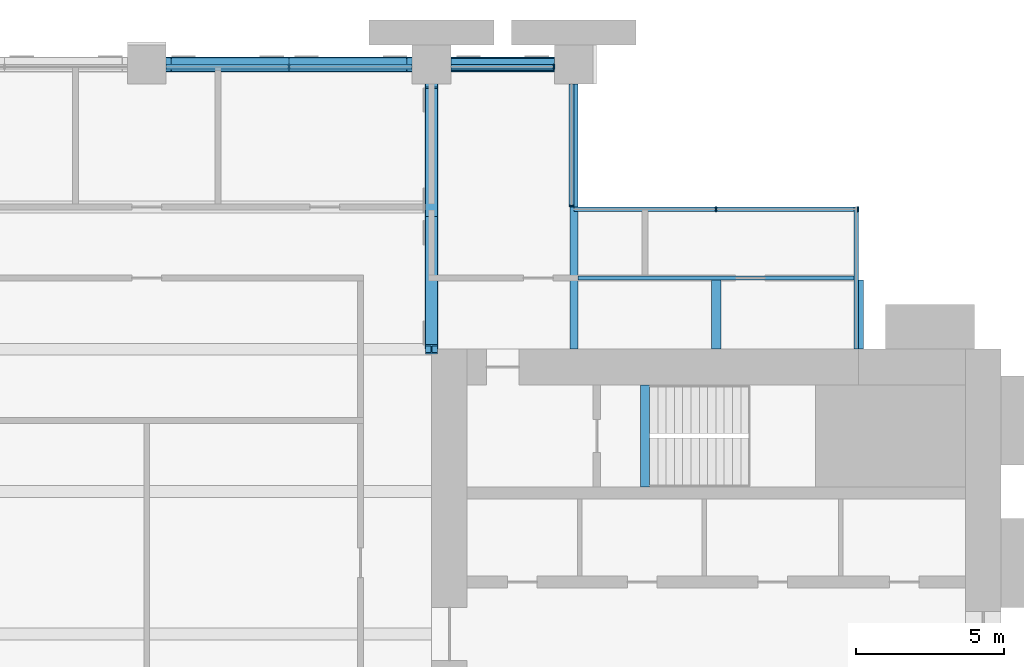
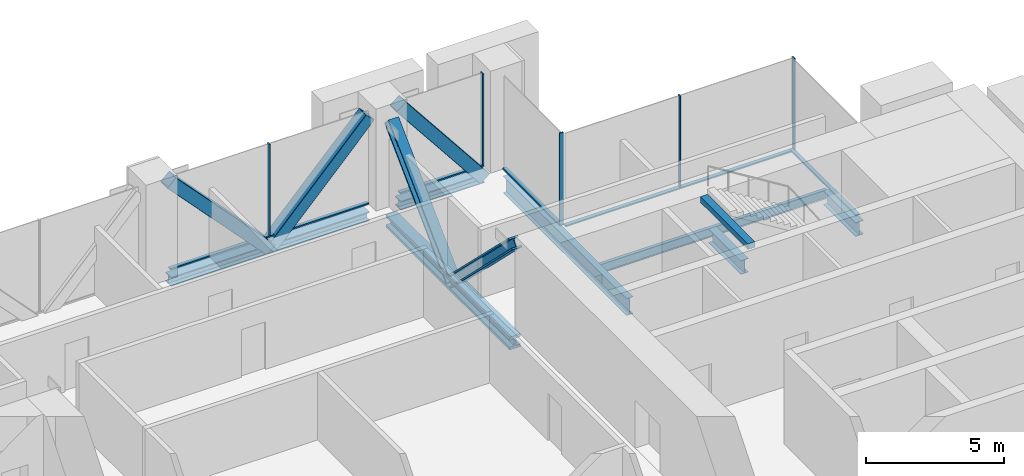
# One storey, part 8 of 15: 15 members, 8 beams, 4 elements without a shape of their own.
"""IFC4 building model written with IfcOpenShell, lengths in metres."""

from ifc_helpers import new_model, si_unit, direction, frame, origin, origin_2d, place, context, subcontext, project, spatial, rectangle, hollow_rectangle, i_section, extrude, material, material_profile, profile_set, type_object, element, aggregate, save


model = new_model("IFC4")

# Units and contexts
model_context = context("Model", 3, precision=1e-05, world=origin(), true_north=direction((0.0, 1.0)))
body_context = subcontext(model_context, "Body", "Model", "MODEL_VIEW")
ifc_project = project(units=[si_unit("LENGTHUNIT", "METRE"), si_unit("AREAUNIT", "SQUARE_METRE"), si_unit("VOLUMEUNIT", "CUBIC_METRE"), si_unit("PLANEANGLEUNIT", "RADIAN"), si_unit("MASSUNIT", "GRAM", prefix="KILO")], contexts=[model_context])

# Site, building, storey
site_placement = place(None, origin())
site = spatial("IfcSite", under=ifc_project, at=site_placement, CompositionType="ELEMENT")
building_placement = place(site_placement, origin())
building = spatial("IfcBuilding", under=site, at=building_placement, Name="Baori Bourse Tower", CompositionType="ELEMENT")
storey_placement = place(building_placement, frame((0.0, 0.0, 87.0)))
storey = spatial("IfcBuildingStorey", under=building, at=storey_placement, Name="L19", CompositionType="ELEMENT", Elevation=87.0)

# Beams
ifc_material_1 = material(Name="Steel A913 Gr 65", Category="steel")
ifc_material_profile_1 = material_profile(ifc_material_1, i_section(OverallWidth=0.4013671875, OverallDepth=0.398681640625, WebThickness=0.02490234375, FlangeThickness=0.03955078125, at=origin_2d()), Name="W14x211")
ifc_profile_set_1 = profile_set([ifc_material_profile_1], Name="Steel A913 Gr 65")
beam_type_1 = type_object("IfcBeamType", Name="Belt truss chord W14x211", PredefinedType="BEAM", material=ifc_profile_set_1)
beam_1_placement = place(storey_placement, frame((29.449951171875, 48.0, -0.49951171875), z_axis=(1.0, 0.0, 0.0), x_axis=(0.0, 1.0, 0.0)))
element("IfcBeam", 1, at=beam_1_placement, inside=storey, type_object=beam_type_1, Name="Belt truss chord L19", PredefinedType="BEAM", context=body_context, shape_type="SweptSolid", body=[
    extrude(i_section(OverallWidth=0.4013671875, OverallDepth=0.398681640625, WebThickness=0.02490234375, FlangeThickness=0.03955078125, at=origin_2d()), origin(), (0.0, 0.0, 1.0), 8.300048828125),
])
beam_2_placement = place(storey_placement, frame((39.050048828125, 48.0, -0.49951171875), z_axis=(1.0, 0.0, 0.0), x_axis=(0.0, 1.0, 0.0)))
element("IfcBeam", 2, at=beam_2_placement, inside=storey, type_object=beam_type_1, Name="Belt truss chord L19", PredefinedType="BEAM", context=body_context, shape_type="SweptSolid", body=[
    extrude(i_section(OverallWidth=0.4013671875, OverallDepth=0.398681640625, WebThickness=0.02490234375, FlangeThickness=0.03955078125, at=origin_2d()), origin(), (0.0, 0.0, 1.0), 3.5),
])

# Members
ifc_material_2 = material(Name="Steel A500 Gr C", Category="steel")
ifc_material_profile_2 = material_profile(ifc_material_2, hollow_rectangle(XDim=0.508056640625, YDim=0.508056640625, WallThickness=0.0146484375, InnerFilletRadius=0.00732421875, OuterFilletRadius=0.022216796875, at=origin_2d()), Name="HSS20x20x5/8")
ifc_profile_set_2 = profile_set([ifc_material_profile_2], Name="Steel A500 Gr C")
member_type_1 = type_object("IfcMemberType", Name="Belt truss diagonal HSS20x20x5/8", PredefinedType="BRACE", material=ifc_profile_set_2)
member_1_placement = place(storey_placement, frame((29.449951171875, 48.0, 3.900634765625), z_axis=(0.686138623617, 0.0, -0.727470816721), x_axis=(0.0, 1.0, 0.0)))
element("IfcMember", 3, at=member_1_placement, inside=storey, type_object=member_type_1, Name="Belt truss diagonal L19", PredefinedType="BRACE", context=body_context, shape_type="SweptSolid", body=[
    extrude(hollow_rectangle(XDim=0.508056640625, YDim=0.508056640625, WallThickness=0.0146484375, InnerFilletRadius=0.00732421875, OuterFilletRadius=0.022216796875, at=origin_2d()), origin(), (0.0, 0.0, 1.0), 6.048583984375),
])
member_2_placement = place(storey_placement, frame((33.60009765625, 48.0, -0.49951171875), z_axis=(0.686117261825, 0.0, 0.727490964223), x_axis=(0.0, 1.0, 0.0)))
element("IfcMember", 4, at=member_2_placement, inside=storey, type_object=member_type_1, Name="Belt truss diagonal L19", PredefinedType="BRACE", context=body_context, shape_type="SweptSolid", body=[
    extrude(hollow_rectangle(XDim=0.508056640625, YDim=0.508056640625, WallThickness=0.0146484375, InnerFilletRadius=0.00732421875, OuterFilletRadius=0.022216796875, at=origin_2d()), origin(), (0.0, 0.0, 1.0), 6.04833984375),
])
member_3_placement = place(storey_placement, frame((39.050048828125, 48.0, 3.900634765625), z_axis=(0.622510872677, 0.0, -0.782611150827), x_axis=(0.0, 1.0, 0.0)))
element("IfcMember", 5, at=member_3_placement, inside=storey, type_object=member_type_1, Name="Belt truss diagonal L19", PredefinedType="BRACE", context=body_context, shape_type="SweptSolid", body=[
    extrude(hollow_rectangle(XDim=0.508056640625, YDim=0.508056640625, WallThickness=0.0146484375, InnerFilletRadius=0.00732421875, OuterFilletRadius=0.022216796875, at=origin_2d()), origin(), (0.0, 0.0, 1.0), 5.622314453125),
])

# Curtain wall, members
ifc_material_3 = material(Name="Pale anodised aluminium", Category="aluminium")
curtain_wall_type = type_object("IfcCurtainWallType", Name="CW3 Curtain wall", PredefinedType="NOTDEFINED", material=ifc_material_3)
curtain_wall_1_placement = place(storey_placement, origin())
curtain_wall_1 = element("IfcCurtainWall", 6, at=curtain_wall_1_placement, inside=storey, type_object=curtain_wall_type, Name="Curtain wall CW3 L19 2", PredefinedType="NOTDEFINED")
ifc_material_4 = material(Name="Pale anodised aluminium", Category="aluminium")
ifc_material_profile_3 = material_profile(ifc_material_4, rectangle(XDim=0.159912109375, YDim=0.050048828125, at=origin_2d()), Name="Mullion 50x160")
ifc_profile_set_3 = profile_set([ifc_material_profile_3], Name="Pale anodised aluminium")
member_type_2 = type_object("IfcMemberType", Name="CW3 Curtain wall mullion", PredefinedType="MULLION", material=ifc_profile_set_3)
member_4_placement = place(storey_placement, frame((52.77490234375, 43.1201171875, 0.06005859375), z_axis=(0.0, 0.0, 1.0), x_axis=(0.0, -1.0, 0.0)))
member_4 = element("IfcMember", 7, at=member_4_placement, type_object=member_type_2, Name="Curtain wall CW3 mullion", PredefinedType="MULLION", context=body_context, shape_type="SweptSolid", body=[
    extrude(rectangle(XDim=0.159912109375, YDim=0.050048828125, at=origin_2d()), origin(), (0.0, 0.0, 1.0), 4.0400390625),
])
member_5_placement = place(storey_placement, frame((48.0, 43.1201171875, 0.06005859375), z_axis=(0.0, 0.0, 1.0), x_axis=(0.0, -1.0, 0.0)))
member_5 = element("IfcMember", 8, at=member_5_placement, type_object=member_type_2, Name="Curtain wall CW3 mullion", PredefinedType="MULLION", context=body_context, shape_type="SweptSolid", body=[
    extrude(rectangle(XDim=0.159912109375, YDim=0.050048828125, at=origin_2d()), origin(), (0.0, 0.0, 1.0), 4.0400390625),
])

# Curtain wall, member
curtain_wall_2_placement = place(storey_placement, origin())
curtain_wall_2 = element("IfcCurtainWall", 9, at=curtain_wall_2_placement, inside=storey, type_object=curtain_wall_type, Name="Curtain wall CW3 L19 3", PredefinedType="NOTDEFINED")
member_6_placement = place(storey_placement, frame((43.1201171875, 43.22509765625, 0.06005859375), z_axis=(0.0, 0.0, 1.0), x_axis=(-1.0, 0.0, 0.0)))
member_6 = element("IfcMember", 10, at=member_6_placement, type_object=member_type_2, Name="Curtain wall CW3 mullion", PredefinedType="MULLION", context=body_context, shape_type="SweptSolid", body=[
    extrude(rectangle(XDim=0.159912109375, YDim=0.050048828125, at=origin_2d()), origin(), (0.0, 0.0, 1.0), 4.0400390625),
])

# Curtain wall, members
curtain_wall_3_placement = place(storey_placement, origin())
curtain_wall_3 = element("IfcCurtainWall", 11, at=curtain_wall_3_placement, inside=storey, type_object=curtain_wall_type, Name="Curtain wall CW3 L19 4", PredefinedType="NOTDEFINED")
member_7_placement = place(storey_placement, frame((42.52490234375, 47.919921875, 0.06005859375), z_axis=(0.0, 0.0, 1.0), x_axis=(0.0, -1.0, 0.0)))
member_7 = element("IfcMember", 12, at=member_7_placement, type_object=member_type_2, Name="Curtain wall CW3 mullion", PredefinedType="MULLION", context=body_context, shape_type="SweptSolid", body=[
    extrude(rectangle(XDim=0.159912109375, YDim=0.050048828125, at=origin_2d()), origin(), (0.0, 0.0, 1.0), 4.0400390625),
])
member_8_placement = place(storey_placement, frame((33.60009765625, 47.919921875, 0.06005859375), z_axis=(0.0, 0.0, 1.0), x_axis=(0.0, -1.0, 0.0)))
member_8 = element("IfcMember", 13, at=member_8_placement, type_object=member_type_2, Name="Curtain wall CW3 mullion", PredefinedType="MULLION", context=body_context, shape_type="SweptSolid", body=[
    extrude(rectangle(XDim=0.159912109375, YDim=0.050048828125, at=origin_2d()), origin(), (0.0, 0.0, 1.0), 4.0400390625),
])

# Curtain wall, member
curtain_wall_4_placement = place(storey_placement, origin())
curtain_wall_4 = element("IfcCurtainWall", 14, at=curtain_wall_4_placement, inside=storey, type_object=curtain_wall_type, Name="Curtain wall CW3 L19 1", PredefinedType="NOTDEFINED")
ifc_material_5 = material(Name="Pale anodised aluminium", Category="aluminium")
ifc_material_profile_4 = material_profile(ifc_material_5, rectangle(XDim=0.159912109375, YDim=0.06005859375, at=origin_2d()), Name="Transom 60x160")
ifc_profile_set_4 = profile_set([ifc_material_profile_4], Name="Pale anodised aluminium")
member_type_3 = type_object("IfcMemberType", Name="CW3 Curtain wall transom", PredefinedType="USERDEFINED", material=ifc_profile_set_4)
member_9_placement = place(storey_placement, frame((52.719970703125, 38.39990234375, 0.030029296875), z_axis=(0.0, 1.0, 0.0), x_axis=(-1.0, 0.0, 0.0)))
member_9 = element("IfcMember", 15, at=member_9_placement, type_object=member_type_3, Name="Curtain wall CW3 sill rail", ObjectType="TRANSOM", PredefinedType="USERDEFINED", context=body_context, shape_type="SweptSolid", body=[
    extrude(rectangle(XDim=0.159912109375, YDim=0.06005859375, at=origin_2d()), origin(), (0.0, 0.0, 1.0), 4.800048828125),
])
aggregate(curtain_wall_4, [member_9])

# Member
member_10_placement = place(storey_placement, frame((52.800048828125, 43.1201171875, 0.030029296875), z_axis=(-1.0, 0.0, 0.0), x_axis=(0.0, -1.0, 0.0)))
member_10 = element("IfcMember", 16, at=member_10_placement, type_object=member_type_3, Name="Curtain wall CW3 sill rail", ObjectType="TRANSOM", PredefinedType="USERDEFINED", context=body_context, shape_type="SweptSolid", body=[
    extrude(rectangle(XDim=0.159912109375, YDim=0.06005859375, at=origin_2d()), origin(), (0.0, 0.0, 1.0), 9.60009765625),
])

aggregate(curtain_wall_1, [member_10, member_4, member_5])

member_11_placement = place(storey_placement, frame((43.1201171875, 43.199951171875, 0.030029296875), z_axis=(0.0, 1.0, 0.0), x_axis=(-1.0, 0.0, 0.0)))
member_11 = element("IfcMember", 17, at=member_11_placement, type_object=member_type_3, Name="Curtain wall CW3 sill rail", ObjectType="TRANSOM", PredefinedType="USERDEFINED", context=body_context, shape_type="SweptSolid", body=[
    extrude(rectangle(XDim=0.159912109375, YDim=0.06005859375, at=origin_2d()), origin(), (0.0, 0.0, 1.0), 4.150146484375),
])

aggregate(curtain_wall_2, [member_11, member_6])

member_12_placement = place(storey_placement, frame((42.550048828125, 47.919921875, 0.030029296875), z_axis=(-1.0, 0.0, 0.0), x_axis=(0.0, -1.0, 0.0)))
member_12 = element("IfcMember", 18, at=member_12_placement, type_object=member_type_3, Name="Curtain wall CW3 sill rail", ObjectType="TRANSOM", PredefinedType="USERDEFINED", context=body_context, shape_type="SweptSolid", body=[
    extrude(rectangle(XDim=0.159912109375, YDim=0.06005859375, at=origin_2d()), origin(), (0.0, 0.0, 1.0), 3.5),
])

member_13_placement = place(storey_placement, frame((37.75, 47.919921875, 0.030029296875), z_axis=(-1.0, 0.0, 0.0), x_axis=(0.0, -1.0, 0.0)))
member_13 = element("IfcMember", 19, at=member_13_placement, type_object=member_type_3, Name="Curtain wall CW3 sill rail", ObjectType="TRANSOM", PredefinedType="USERDEFINED", context=body_context, shape_type="SweptSolid", body=[
    extrude(rectangle(XDim=0.159912109375, YDim=0.06005859375, at=origin_2d()), origin(), (0.0, 0.0, 1.0), 8.300048828125),
])

aggregate(curtain_wall_3, [member_12, member_7, member_13, member_8])

# Beams
ifc_material_6 = material(Name="Steel A992 Gr 50", Category="steel")
ifc_material_profile_5 = material_profile(ifc_material_6, i_section(OverallWidth=0.3251953125, OverallDepth=0.612060546875, WebThickness=0.0126953125, FlangeThickness=0.01904296875, at=origin_2d()), Name="W24x104")
ifc_profile_set_5 = profile_set([ifc_material_profile_5], Name="Steel A992 Gr 50")
beam_type_2 = type_object("IfcBeamType", Name="Core bracket W24x104", PredefinedType="BEAM", material=ifc_profile_set_5)
for number, where, z_axis, x_axis, name in (
    (20, (48.0, 38.39990234375, -0.60595703125), (0.0, 1.0, 0.0), (-1.0, 0.0, 0.0), "Core bracket L19"),
    (21, (52.800048828125, 38.39990234375, -0.60595703125), (0.0, 1.0, 0.0), (-1.0, 0.0, 0.0), "Core bracket L19"),
):
    element("IfcBeam", number, at=place(storey_placement, frame(where, z_axis=z_axis, x_axis=x_axis)), inside=storey, type_object=beam_type_2, Name=name, PredefinedType="BEAM", context=body_context, shape_type="SweptSolid", body=[
        extrude(i_section(OverallWidth=0.3251953125, OverallDepth=0.612060546875, WebThickness=0.0126953125, FlangeThickness=0.01904296875, at=origin_2d()), origin(), (0.0, 0.0, 1.0), 2.329833984375),
    ])
ifc_material_7 = material(Name="Steel A992 Gr 50", Category="steel")
ifc_material_profile_6 = material_profile(ifc_material_7, i_section(OverallWidth=0.2666015625, OverallDepth=0.7568359375, WebThickness=0.013916015625, FlangeThickness=0.019287109375, at=origin_2d()), Name="W30x108")
ifc_profile_set_6 = profile_set([ifc_material_profile_6], Name="Steel A992 Gr 50")
beam_type_3 = type_object("IfcBeamType", Name="Floor beam W30x108", PredefinedType="BEAM", material=ifc_profile_set_6)
beam_3_placement = place(storey_placement, frame((43.199951171875, 38.39990234375, -0.678466796875), z_axis=(0.0, 1.0, 0.0), x_axis=(-1.0, 0.0, 0.0)))
element("IfcBeam", 22, at=beam_3_placement, inside=storey, type_object=beam_type_3, Name="Floor beam L19", PredefinedType="BEAM", context=body_context, shape_type="SweptSolid", body=[
    extrude(i_section(OverallWidth=0.2666015625, OverallDepth=0.7568359375, WebThickness=0.013916015625, FlangeThickness=0.019287109375, at=origin_2d()), origin(), (0.0, 0.0, 1.0), 8.9501953125),
])
ifc_material_8 = material(Name="Steel A913 Gr 65", Category="steel")
ifc_material_profile_7 = material_profile(ifc_material_8, i_section(OverallWidth=0.45458984375, OverallDepth=0.56884765625, WebThickness=0.077880859375, FlangeThickness=0.124755859375, at=origin_2d()), Name="W14x730")
ifc_profile_set_7 = profile_set([ifc_material_profile_7], Name="Steel A913 Gr 65")
beam_type_4 = type_object("IfcBeamType", Name="Outrigger truss chord W14x730", PredefinedType="BEAM", material=ifc_profile_set_7)
beam_4_placement = place(storey_placement, frame((38.39990234375, 38.39990234375, -0.58447265625), z_axis=(0.0, 1.0, 0.0), x_axis=(-1.0, 0.0, 0.0)))
element("IfcBeam", 23, at=beam_4_placement, inside=storey, type_object=beam_type_4, Name="Outrigger truss chord L19", PredefinedType="BEAM", context=body_context, shape_type="SweptSolid", body=[
    extrude(i_section(OverallWidth=0.45458984375, OverallDepth=0.56884765625, WebThickness=0.077880859375, FlangeThickness=0.124755859375, at=origin_2d()), origin(), (0.0, 0.0, 1.0), 8.9501953125),
])

# Members
ifc_material_9 = material(Name="Steel A913 Gr 65", Category="steel")
ifc_material_profile_8 = material_profile(ifc_material_9, i_section(OverallWidth=0.419189453125, OverallDepth=0.45458984375, WebThickness=0.042236328125, FlangeThickness=0.067626953125, at=origin_2d()), Name="W14x370")
ifc_profile_set_8 = profile_set([ifc_material_profile_8], Name="Steel A913 Gr 65")
member_type_4 = type_object("IfcMemberType", Name="Outrigger truss diagonal W14x370", PredefinedType="BRACE", material=ifc_profile_set_8)
for number, where, z_axis, x_axis, name in (
    (24, (38.39990234375, 38.39990234375, 3.8154296875), (0.0, 0.713072298636, -0.701090505511), (-1.0, 0.0, 0.0), "Outrigger truss diagonal L19"),
    (25, (38.39990234375, 42.875, -0.58447265625), (0.0, 0.713072298636, 0.701090505511), (-1.0, 0.0, 0.0), "Outrigger truss diagonal L19"),
):
    element("IfcMember", number, at=place(storey_placement, frame(where, z_axis=z_axis, x_axis=x_axis)), inside=storey, type_object=member_type_4, Name=name, PredefinedType="BRACE", context=body_context, shape_type="SweptSolid", body=[
        extrude(i_section(OverallWidth=0.419189453125, OverallDepth=0.45458984375, WebThickness=0.042236328125, FlangeThickness=0.067626953125, at=origin_2d()), origin(), (0.0, 0.0, 1.0), 6.27587890625),
    ])

# Beams
ifc_material_10 = material(Name="Concrete f'c 50 MPa", Category="concrete")
ifc_material_profile_9 = material_profile(ifc_material_10, rectangle(XDim=0.300048828125, YDim=0.25, at=origin_2d()), Name="RC 300x250")
ifc_profile_set_9 = profile_set([ifc_material_profile_9], Name="Concrete f'c 50 MPa")
beam_type_5 = type_object("IfcBeamType", Name="Stair nib beam RC 300x250", PredefinedType="BEAM", material=ifc_profile_set_9)
beam_5_placement = place(storey_placement, frame((45.60009765625, 33.75, 3.97509765625), z_axis=(0.0, 1.0, 0.0), x_axis=(-1.0, 0.0, 0.0)))
element("IfcBeam", 26, at=beam_5_placement, inside=storey, type_object=beam_type_5, Name="Stair EB nib beam L20", PredefinedType="BEAM", context=body_context, shape_type="SweptSolid", body=[
    extrude(rectangle(XDim=0.300048828125, YDim=0.25, at=origin_2d()), origin(), (0.0, 0.0, 1.0), 3.449951171875),
])
ifc_material_11 = material(Name="Steel A992 Gr 50", Category="steel")
ifc_material_profile_10 = material_profile(ifc_material_11, i_section(OverallWidth=0.140380859375, OverallDepth=0.40380859375, WebThickness=0.007080078125, FlangeThickness=0.01123046875, at=origin_2d()), Name="W16x31")
ifc_profile_set_10 = profile_set([ifc_material_profile_10], Name="Steel A992 Gr 50")
beam_type_6 = type_object("IfcBeamType", Name="Trimmer beam W16x31", PredefinedType="BEAM", material=ifc_profile_set_10)
beam_6_placement = place(storey_placement, frame((43.333251953125, 40.800048828125, -0.501953125), z_axis=(1.0, 0.0, 0.0), x_axis=(0.0, 1.0, 0.0)))
element("IfcBeam", 27, at=beam_6_placement, inside=storey, type_object=beam_type_6, Name="Trimmer beam L19", PredefinedType="BEAM", context=body_context, shape_type="SweptSolid", body=[
    extrude(i_section(OverallWidth=0.140380859375, OverallDepth=0.40380859375, WebThickness=0.007080078125, FlangeThickness=0.01123046875, at=origin_2d()), origin(), (0.0, 0.0, 1.0), 9.466796875),
])

save(model, "model.ifc")
